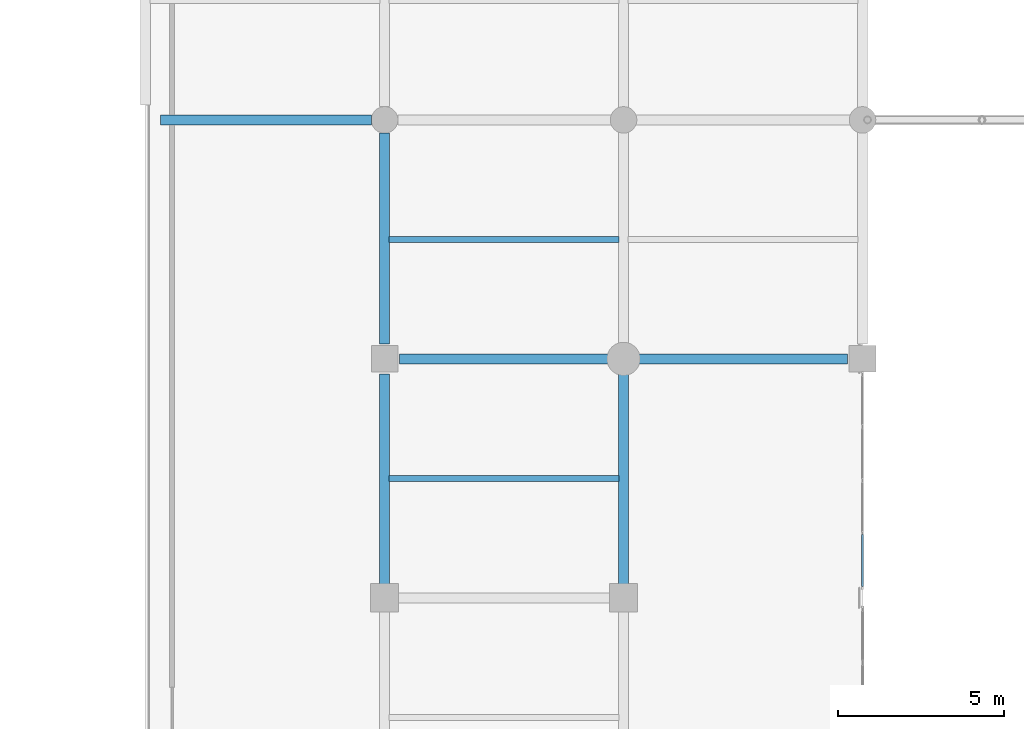
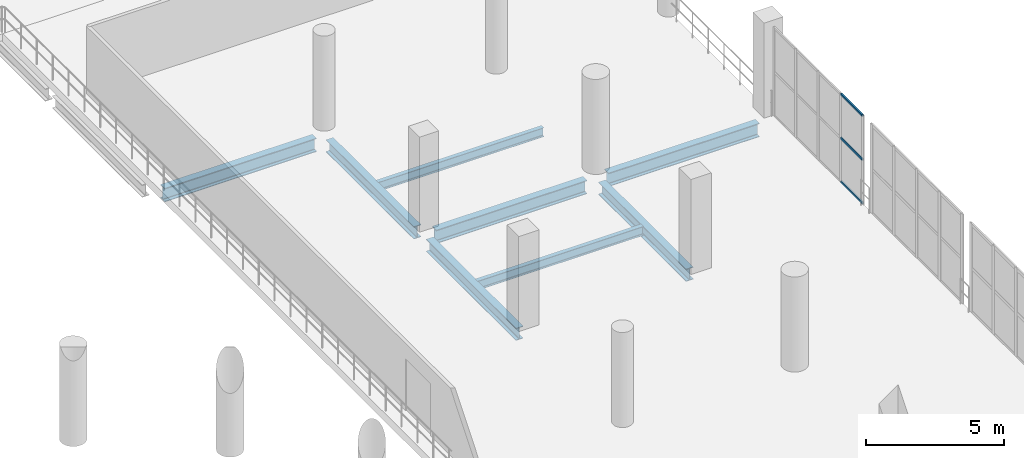
# One storey, part 55 of 153: 8 beams, 3 members, 1 element without a shape of its own.
"""IFC4 building model written with IfcOpenShell, lengths in metres."""

from ifc_helpers import new_model, si_unit, direction, frame, origin, origin_2d, place, context, subcontext, project, spatial, hollow_rectangle, i_section, extrude, material, material_profile, profile_set, type_object, element, aggregate, save


model = new_model("IFC4")

# Units and contexts
model_context = context("Model", 3, precision=1e-05, world=origin(), true_north=direction((0.0, 1.0)))
body_context = subcontext(model_context, "Body", "Model", "MODEL_VIEW")
ifc_project = project(units=[si_unit("LENGTHUNIT", "METRE"), si_unit("AREAUNIT", "SQUARE_METRE"), si_unit("VOLUMEUNIT", "CUBIC_METRE"), si_unit("PLANEANGLEUNIT", "RADIAN"), si_unit("MASSUNIT", "GRAM", prefix="KILO")], contexts=[model_context])

# Site, building, storey
site_placement = place(None, origin())
site = spatial("IfcSite", under=ifc_project, at=site_placement, CompositionType="ELEMENT")
building_placement = place(site_placement, origin())
building = spatial("IfcBuilding", under=site, at=building_placement, Name="Qandorah Velis Arena", CompositionType="ELEMENT")
storey_placement = place(building_placement, frame((0.0, 0.0, 5.39990234375)))
storey = spatial("IfcBuildingStorey", under=building, at=storey_placement, Name="L01", CompositionType="ELEMENT", Elevation=5.39990234375)

# Curtain wall, members
ifc_material_1 = material(Name="Solar-control low-E double glazing", Category="glass")
curtain_wall_type = type_object("IfcCurtainWallType", Name="ARC-CW-SYS12", PredefinedType="USERDEFINED", material=ifc_material_1)
curtain_wall_placement = place(storey_placement, origin())
curtain_wall = element("IfcCurtainWall", 1, at=curtain_wall_placement, inside=storey, type_object=curtain_wall_type, Name="Unitised curtain wall L01-108", ObjectType="UNITISED CURTAIN WALL", PredefinedType="USERDEFINED")
ifc_material_2 = material(Name="Champagne-bronze anodized aluminium 6063-T6", Category="aluminium")
ifc_material_profile_1 = material_profile(ifc_material_2, hollow_rectangle(XDim=0.054931640625, YDim=0.10009765625, WallThickness=0.0029296875, at=origin_2d()), Name="ALU TRANSOM 55x100")
ifc_profile_set_1 = profile_set([ifc_material_profile_1], Name="Champagne-bronze anodized aluminium 6063-T6")
member_type = type_object("IfcMemberType", Name="ARC-CWT-100", PredefinedType="USERDEFINED", material=ifc_profile_set_1)
member_1_placement = place(storey_placement, frame((122.39990234375, 79.54296875, 0.027587890625), z_axis=(0.0, 1.0, 0.0), x_axis=(-1.0, 0.0, 0.0)))
member_1 = element("IfcMember", 2, at=member_1_placement, type_object=member_type, Name="CW12 transom 1.1", ObjectType="TRANSOM", PredefinedType="USERDEFINED", context=body_context, shape_type="SweptSolid", body=[
    extrude(hollow_rectangle(XDim=0.054931640625, YDim=0.10009765625, WallThickness=0.0029296875, at=origin_2d()), origin(), (0.0, 0.0, 1.0), 1.560302734375),
])
member_2_placement = place(storey_placement, frame((122.39990234375, 79.54296875, 1.960205078125), z_axis=(0.0, 1.0, 0.0), x_axis=(-1.0, 0.0, 0.0)))
member_2 = element("IfcMember", 3, at=member_2_placement, type_object=member_type, Name="CW12 transom 1.2", ObjectType="TRANSOM", PredefinedType="USERDEFINED", context=body_context, shape_type="SweptSolid", body=[
    extrude(hollow_rectangle(XDim=0.054931640625, YDim=0.10009765625, WallThickness=0.0029296875, at=origin_2d()), origin(), (0.0, 0.0, 1.0), 1.560302734375),
])
member_3_placement = place(storey_placement, frame((122.39990234375, 79.54296875, 3.892578125), z_axis=(0.0, 1.0, 0.0), x_axis=(-1.0, 0.0, 0.0)))
member_3 = element("IfcMember", 4, at=member_3_placement, type_object=member_type, Name="CW12 transom 1.3", ObjectType="TRANSOM", PredefinedType="USERDEFINED", context=body_context, shape_type="SweptSolid", body=[
    extrude(hollow_rectangle(XDim=0.054931640625, YDim=0.10009765625, WallThickness=0.0029296875, at=origin_2d()), origin(), (0.0, 0.0, 1.0), 1.560302734375),
])
aggregate(curtain_wall, [member_1, member_2, member_3])

# Beams
ifc_material_3 = material(Name="Steel S355", Category="steel")
ifc_material_profile_2 = material_profile(ifc_material_3, i_section(OverallWidth=0.300048828125, OverallDepth=0.550048828125, WebThickness=0.014892578125, FlangeThickness=0.029052734375, FilletRadius=0.027099609375, at=origin_2d()), Name="HEB 550")
ifc_profile_set_2 = profile_set([ifc_material_profile_2], Name="Steel S355")
beam_type_1 = type_object("IfcBeamType", Name="STR-BM-HEB550", PredefinedType="BEAM", material=ifc_profile_set_2)
beam_1_placement = place(storey_placement, frame((108.0, 79.449951171875, -0.635009765625), z_axis=(0.0, 1.0, 0.0), x_axis=(-1.0, 0.0, 0.0)))
element("IfcBeam", 5, at=beam_1_placement, inside=storey, type_object=beam_type_1, Name="Primary floor girder L01 Y-370", PredefinedType="BEAM", context=body_context, shape_type="SweptSolid", body=[
    extrude(i_section(OverallWidth=0.300048828125, OverallDepth=0.550048828125, WebThickness=0.014892578125, FlangeThickness=0.029052734375, FilletRadius=0.027099609375, at=origin_2d()), origin(), (0.0, 0.0, 1.0), 6.5),
])
for number, where, z_axis, x_axis, name in (
    (6, (108.0, 86.85009765625, -0.635009765625), (0.0, 1.0, 0.0), (-1.0, 0.0, 0.0), "Primary floor girder L01 Y-371"),
    (7, (115.199951171875, 79.60009765625, -0.635009765625), (0.0, 1.0, 0.0), (-1.0, 0.0, 0.0), "Primary floor girder L01 Y-387"),
):
    element("IfcBeam", number, at=place(storey_placement, frame(where, z_axis=z_axis, x_axis=x_axis)), inside=storey, type_object=beam_type_1, Name=name, PredefinedType="BEAM", context=body_context, shape_type="SweptSolid", body=[
        extrude(i_section(OverallWidth=0.300048828125, OverallDepth=0.550048828125, WebThickness=0.014892578125, FlangeThickness=0.029052734375, FilletRadius=0.027099609375, at=origin_2d()), origin(), (0.0, 0.0, 1.0), 6.349853515625),
    ])
ifc_material_profile_3 = material_profile(ifc_material_3, i_section(OverallWidth=0.300048828125, OverallDepth=0.60009765625, WebThickness=0.015380859375, FlangeThickness=0.030029296875, FilletRadius=0.027099609375, at=origin_2d()), Name="HEB 600")
ifc_profile_set_3 = profile_set([ifc_material_profile_3], Name="Steel S355")
beam_type_2 = type_object("IfcBeamType", Name="STR-BM-HEB600", PredefinedType="BEAM", material=ifc_profile_set_3)
for number, where, z_axis, x_axis, name in (
    (8, (108.449951171875, 86.39990234375, -0.659912109375), (1.0, 0.0, 0.0), (0.0, 1.0, 0.0), "Primary floor girder L01 X-132"),
    (9, (115.64990234375, 86.39990234375, -0.659912109375), (1.0, 0.0, 0.0), (0.0, 1.0, 0.0), "Primary floor girder L01 X-133"),
):
    element("IfcBeam", number, at=place(storey_placement, frame(where, z_axis=z_axis, x_axis=x_axis)), inside=storey, type_object=beam_type_2, Name=name, PredefinedType="BEAM", context=body_context, shape_type="SweptSolid", body=[
        extrude(i_section(OverallWidth=0.300048828125, OverallDepth=0.60009765625, WebThickness=0.015380859375, FlangeThickness=0.030029296875, FilletRadius=0.027099609375, at=origin_2d()), origin(), (0.0, 0.0, 1.0), 6.300048828125),
    ])
beam_2_placement = place(storey_placement, frame((101.25, 93.60009765625, -0.659912109375), z_axis=(1.0, 0.0, 0.0), x_axis=(0.0, 1.0, 0.0)))
element("IfcBeam", 10, at=beam_2_placement, inside=storey, type_object=beam_type_2, Name="Primary floor girder L01 X-141", PredefinedType="BEAM", context=body_context, shape_type="SweptSolid", body=[
    extrude(i_section(OverallWidth=0.300048828125, OverallDepth=0.60009765625, WebThickness=0.015380859375, FlangeThickness=0.030029296875, FilletRadius=0.027099609375, at=origin_2d()), origin(), (0.0, 0.0, 1.0), 6.35009765625),
])
ifc_material_profile_4 = material_profile(ifc_material_3, i_section(OverallWidth=0.179931640625, OverallDepth=0.39990234375, WebThickness=0.008544921875, FlangeThickness=0.013427734375, FilletRadius=0.02099609375, at=origin_2d()), Name="IPE 400")
ifc_profile_set_4 = profile_set([ifc_material_profile_4], Name="Steel S355")
beam_type_3 = type_object("IfcBeamType", Name="STR-JST-IPE400", PredefinedType="JOIST", material=ifc_profile_set_4)
for number, where, z_axis, x_axis, name in (
    (11, (108.135009765625, 82.800048828125, -0.559814453125), (1.0, 0.0, 0.0), (0.0, 1.0, 0.0), "Secondary floor joist L01-126"),
    (12, (108.135009765625, 90.0, -0.559814453125), (1.0, 0.0, 0.0), (0.0, 1.0, 0.0), "Secondary floor joist L01-127"),
):
    element("IfcBeam", number, at=place(storey_placement, frame(where, z_axis=z_axis, x_axis=x_axis)), inside=storey, type_object=beam_type_3, Name=name, PredefinedType="JOIST", context=body_context, shape_type="SweptSolid", body=[
        extrude(i_section(OverallWidth=0.179931640625, OverallDepth=0.39990234375, WebThickness=0.008544921875, FlangeThickness=0.013427734375, FilletRadius=0.02099609375, at=origin_2d()), origin(), (0.0, 0.0, 1.0), 6.929931640625),
    ])

save(model, "model.ifc")
